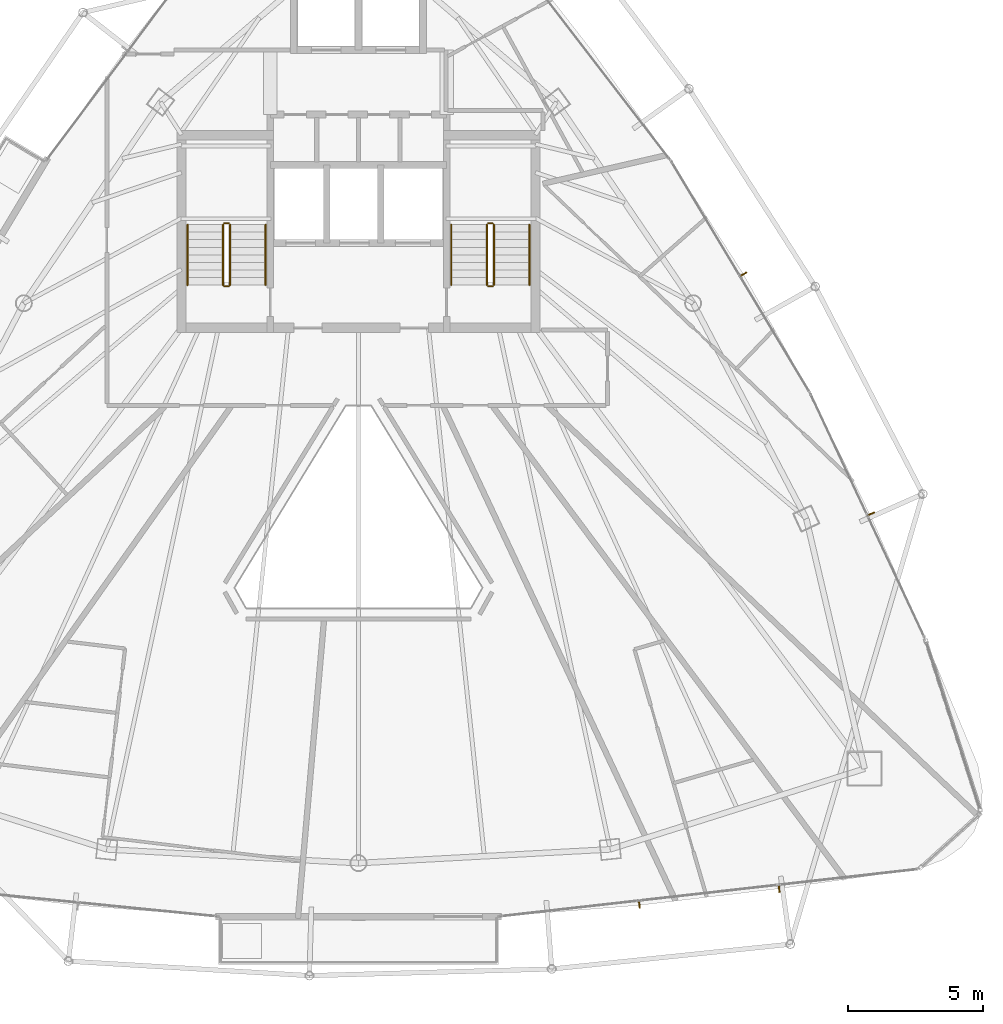
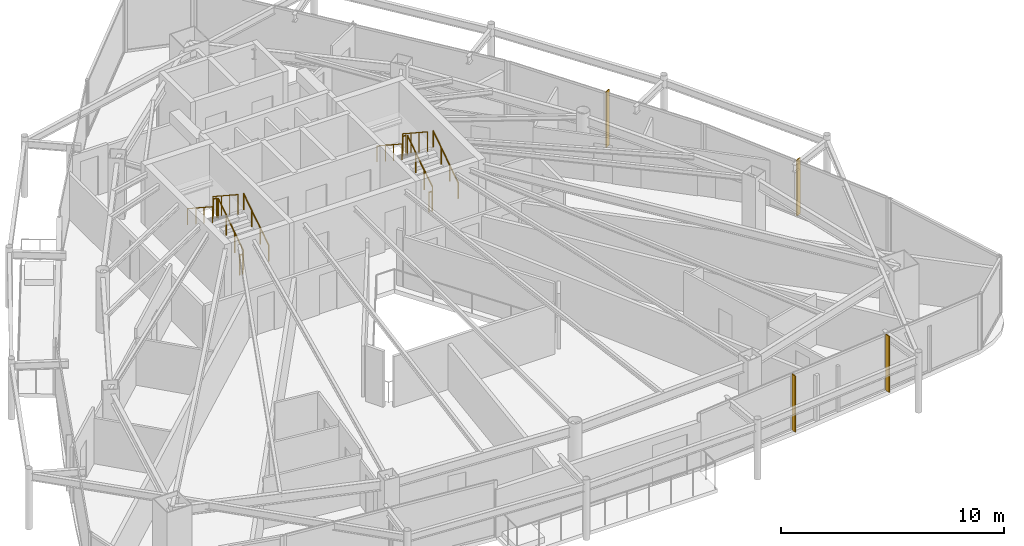
# One storey, part 31 of 32: 12 railings, 4 shading devices.
"""IFC4 building model written with IfcOpenShell, lengths in metres."""

import ifcopenshell
import ifcopenshell.guid

model = None  # the IFC model being written
_history = None  # IfcOwnerHistory: only IFC2X3 demands one
_inside = {}  # id of a spatial element -> (the spatial element, [elements in it])
_under = {}  # id of a project, library or spatial element -> (it, [spatial elements below it])
_declared = {}  # id of a project -> (the project, [libraries it declares])
_typed = {}  # id of a type object -> (the type object, [elements of that type])
_made_of = {}  # id of a material, layer set ... -> (it, [elements and type objects made of it])


def new_model(schema):
    """Start an empty IFC model of exactly this schema.

    Asked for "IFC4X3", IfcOpenShell would pick the latest addendum, in which some entities
    have other attributes; the version numbers below select the first issue.
    IFC2X3 requires an IfcOwnerHistory on every rooted entity: one is made here for all.
    """
    global model, _history
    if schema == "IFC4X3":
        model = ifcopenshell.file(schema_version=(4, 3, 0, 0))
    else:
        model = ifcopenshell.file(schema=schema)
    _inside.clear()
    _under.clear()
    _declared.clear()
    _typed.clear()
    _made_of.clear()
    _history = None
    if model.schema == "IFC2X3":
        org = make("IfcOrganization", Name="unknown")
        user = make(
            "IfcPersonAndOrganization",
            ThePerson=make("IfcPerson", FamilyName="unknown"),
            TheOrganization=org,
        )
        app = make(
            "IfcApplication",
            ApplicationDeveloper=org,
            Version="unknown",
            ApplicationFullName="unknown",
            ApplicationIdentifier="unknown",
        )
        _history = make(
            "IfcOwnerHistory",
            OwningUser=user,
            OwningApplication=app,
            ChangeAction="ADDED",
            CreationDate=0,
        )
    return model


def make(cls, **values):
    """One entity of the class cls with the attributes given. An attribute that is None is left unset."""
    return model.create_entity(
        cls, **{name: value for name, value in values.items() if value is not None}
    )


def rooted(cls, **values):
    """An entity with a GlobalId (a new one), such as an element, a storey or a relation."""
    return make(cls, GlobalId=ifcopenshell.guid.new(), OwnerHistory=_history, **values)


def si_unit(unit_type, name, prefix=None):
    """IfcSIUnit, for example si_unit("LENGTHUNIT", "METRE", prefix="MILLI")."""
    return make("IfcSIUnit", UnitType=unit_type, Prefix=prefix, Name=name)


def assignment(units):
    """IfcUnitAssignment: the units of a project."""
    return None if units is None else make("IfcUnitAssignment", Units=units)


def point(xyz):
    """IfcCartesianPoint."""
    return None if xyz is None else make("IfcCartesianPoint", Coordinates=xyz)


def direction(xyz):
    """IfcDirection."""
    return None if xyz is None else make("IfcDirection", DirectionRatios=xyz)


def frame(location, z_axis=None, x_axis=None):
    """IfcAxis2Placement3D, a coordinate frame: its origin and axes. An axis left out is left unset."""
    return make(
        "IfcAxis2Placement3D",
        Location=point(location),
        Axis=direction(z_axis),
        RefDirection=direction(x_axis),
    )


def frame_2d(location, x_axis=None):
    """IfcAxis2Placement2D, a coordinate frame in the plane: its origin and x axis."""
    return make(
        "IfcAxis2Placement2D", Location=point(location), RefDirection=direction(x_axis)
    )


def origin():
    """The frame at (0, 0, 0) with its axes left unset."""
    return frame((0.0, 0.0, 0.0))


def origin_2d():
    """The frame at (0, 0) in the plane with its x axis left unset."""
    return frame_2d((0.0, 0.0))


def place(relative_to, where):
    """IfcLocalPlacement: puts the frame where relative to a parent placement (None: the world)."""
    return make(
        "IfcLocalPlacement", PlacementRelTo=relative_to, RelativePlacement=where
    )


def context(
    kind, dimensions, precision=None, world=None, true_north=None, identifier=None
):
    """IfcGeometricRepresentationContext, for example the 3D "Model" context."""
    return make(
        "IfcGeometricRepresentationContext",
        ContextIdentifier=identifier,
        ContextType=kind,
        CoordinateSpaceDimension=dimensions,
        Precision=precision,
        WorldCoordinateSystem=world,
        TrueNorth=true_north,
    )


def subcontext(parent, identifier, kind, view, scale=None):
    """IfcGeometricRepresentationSubContext, for example "Body" below "Model"."""
    return make(
        "IfcGeometricRepresentationSubContext",
        ContextIdentifier=identifier,
        ContextType=kind,
        ParentContext=parent,
        TargetScale=scale,
        TargetView=view,
    )


def project(units=None, contexts=None):
    """IfcProject with its units and contexts."""
    return rooted(
        "IfcProject",
        Name="project",
        RepresentationContexts=contexts,
        UnitsInContext=assignment(units),
    )


def spatial(cls, under=None, at=None, **own):
    """A site, building, storey or space (cls), placed at a placement, below another one or the project."""
    s = rooted(cls, ObjectPlacement=at, **own)
    if under is not None:
        _under.setdefault(under.id(), (under, []))[1].append(s)
    return s


def profile(cls, at=None, kind="AREA", **sizes):
    """A parametric profile (cls). Its sizes go by their IFC names, for example OverallWidth=200.0."""
    return make(cls, ProfileType=kind, Position=at, **sizes)


def rectangle(**sizes):
    """IfcRectangleProfileDef."""
    return profile("IfcRectangleProfileDef", **sizes)


def circle(**sizes):
    """IfcCircleProfileDef."""
    return profile("IfcCircleProfileDef", **sizes)


def extrude(swept, where, along, depth):
    """IfcExtrudedAreaSolid: the profile swept, set in the frame where, extruded along a direction by depth."""
    return make(
        "IfcExtrudedAreaSolid",
        SweptArea=swept,
        Position=where,
        ExtrudedDirection=direction(along),
        Depth=depth,
    )


def shape(context_of_items, identifier, shape_type, items):
    """IfcShapeRepresentation: the items that make up one representation, for example the "Body"."""
    return make(
        "IfcShapeRepresentation",
        ContextOfItems=context_of_items,
        RepresentationIdentifier=identifier,
        RepresentationType=shape_type,
        Items=items,
    )


def material(Name=None, Category=None):
    """IfcMaterial."""
    return make("IfcMaterial", Name=Name, Category=Category)


def layer(
    of_material, thickness, ventilated=None, Name=None, Category=None, Priority=None
):
    """IfcMaterialLayer: one layer of a wall or slab, of a material (None: an air gap)."""
    return make(
        "IfcMaterialLayer",
        Material=of_material,
        LayerThickness=thickness,
        IsVentilated=ventilated,
        Name=Name,
        Category=Category,
        Priority=Priority,
    )


def layer_set(layers, Name=None):
    """IfcMaterialLayerSet."""
    return make("IfcMaterialLayerSet", MaterialLayers=layers, LayerSetName=Name)


def made_of(thing, what):
    """Note that an element or type object is made of a material, layer set ...; save() writes the relation."""
    if what is not None:
        _made_of.setdefault(what.id(), (what, []))[1].append(thing)
    return thing


def type_object(cls, material=None, **own):
    """A type object (cls), such as IfcWallType, which elements share."""
    return made_of(rooted(cls, **own), material)


def element(
    cls,
    number,
    at=None,
    inside=None,
    cuts=None,
    type_object=None,
    material=None,
    context=None,
    identifier="Body",
    shape_type=None,
    held_by="IfcProductDefinitionShape",
    body=None,
    shapes=None,
    **own,
):
    """One element of the class cls, such as IfcWall. Its Tag is "e" and its number.

    at: its placement. inside: the storey or other place that contains it. cuts: it is an
    opening in that element (IfcRelVoidsElement). A single representation is given by context,
    identifier, shape_type and body (its items); several are given by shapes. held_by: the class
    of the entity that holds the representations. save() writes the other relations.
    """
    e = rooted(cls, Tag="e%d" % number, ObjectPlacement=at, **own)
    if body is not None:
        shapes = [shape(context, identifier, shape_type, body)]
    if shapes is not None:
        e.Representation = make(held_by, Representations=shapes)
    if inside is not None:
        _inside.setdefault(inside.id(), (inside, []))[1].append(e)
    if cuts is not None:
        rooted(
            "IfcRelVoidsElement", RelatingBuildingElement=cuts, RelatedOpeningElement=e
        )
    if type_object is not None:
        _typed.setdefault(type_object.id(), (type_object, []))[1].append(e)
    return made_of(e, material)


def aggregate(whole, parts):
    """IfcRelAggregates: a whole, such as a stair, and the parts it consists of."""
    return rooted("IfcRelAggregates", RelatingObject=whole, RelatedObjects=parts)


def save(model, path):
    """Write the relations noted so far, then the file.

    IfcRelAggregates (storeys below a building ...), IfcRelContainedInSpatialStructure (elements
    in a storey), IfcRelDefinesByType, IfcRelAssociatesMaterial and IfcRelDeclares: one each for
    every whole, place, type object, material and project.
    """
    for whole, parts in _under.values():
        aggregate(whole, parts)
    for where, things in _inside.values():
        rooted(
            "IfcRelContainedInSpatialStructure",
            RelatedElements=things,
            RelatingStructure=where,
        )
    for kind, things in _typed.values():
        rooted("IfcRelDefinesByType", RelatedObjects=things, RelatingType=kind)
    for what, things in _made_of.values():
        rooted("IfcRelAssociatesMaterial", RelatedObjects=things, RelatingMaterial=what)
    for by, libraries in _declared.values():
        rooted("IfcRelDeclares", RelatingContext=by, RelatedDefinitions=libraries)
    model.write(path)


model = new_model("IFC4")

# Units and contexts
model_context = context("Model", 3, precision=1e-05, world=origin(), true_north=direction((0.0, 1.0)))
body_context = subcontext(model_context, "Body", "Model", "MODEL_VIEW")
ifc_project = project(units=[si_unit("LENGTHUNIT", "METRE"), si_unit("AREAUNIT", "SQUARE_METRE"), si_unit("VOLUMEUNIT", "CUBIC_METRE"), si_unit("PLANEANGLEUNIT", "RADIAN"), si_unit("MASSUNIT", "GRAM", prefix="KILO")], contexts=[model_context])

# Site, building, storey
site_placement = place(None, origin())
site = spatial("IfcSite", under=ifc_project, at=site_placement, CompositionType="ELEMENT")
building_placement = place(site_placement, origin())
building = spatial("IfcBuilding", under=site, at=building_placement, Name="Orvanel Arch Residences", CompositionType="ELEMENT")
storey_placement = place(building_placement, frame((0.0, 0.0, 216.199951171875)))
storey = spatial("IfcBuildingStorey", under=building, at=storey_placement, Name="L61", CompositionType="ELEMENT", Elevation=216.199951171875)

# Shading devices
ifc_material_1 = material(Name="Bronze-anodised aluminium AA6063-T6", Category="aluminium")
ifc_layer = layer(ifc_material_1, 0.050048828125)
ifc_layer_set = layer_set([ifc_layer], Name="Bronze-anodised aluminium AA6063-T6")
shading_device_type = type_object("IfcShadingDeviceType", Name="FIN-BRZ-260", PredefinedType="USERDEFINED", material=ifc_layer_set)
for number, where, z_axis, x_axis, name in (
    (1, (43.43505859375, 5.2939453125, 0.0), (0.0, 0.0, 1.0), (0.111468932206, -0.993767919161, 0.0), "L61 Anodised Bronze Mullion FIN 01"),
    (2, (48.626953125, 5.881103515625, 0.0), (0.0, 0.0, 1.0), (0.111468932206, -0.993767919161, 0.0), "L61 Anodised Bronze Mullion FIN 02"),
    (3, (52.048095703125, 19.822021484375, 0.0), (0.0, 0.0, 1.0), (0.905568799011, 0.424199422745, 0.0), "L61 Anodised Bronze Mullion FIN 01"),
    (4, (47.31103515625, 28.72509765625, 0.0), (0.0, 0.0, 1.0), (0.857167300702, 0.51503807491, 0.0), "L61 Anodised Bronze Mullion FIN 01"),
):
    element("IfcShadingDevice", number, at=place(storey_placement, frame(where, z_axis=z_axis, x_axis=x_axis)), inside=storey, type_object=shading_device_type, Name=name, ObjectType="FIN", PredefinedType="USERDEFINED", context=body_context, shape_type="SweptSolid", body=[
        extrude(rectangle(XDim=0.260009765625, YDim=0.050048828125, at=origin_2d()), origin(), (0.0, 0.0, 1.0), 3.06005859375),
    ])

# Railings
ifc_material_2 = material(Name="Structural steel AS/NZS 1163 C350L0 (Grade 350)", Category="steel")
railing_type_1 = type_object("IfcRailingType", Name="RL-STAIR-GUARD", PredefinedType="GUARDRAIL", material=ifc_material_2)
railing_1_placement = place(storey_placement, frame((28.22998046875, 28.320068359375, 0.183349609375)))
element("IfcRailing", 5, at=railing_1_placement, inside=storey, type_object=railing_type_1, Name="L61 ST-1 stair guard 1", PredefinedType="GUARDRAIL", context=body_context, shape_type="SweptSolid", body=[
    extrude(circle(Radius=0.02392578125, at=origin_2d()), frame((0.0, 0.001220703125, 1.076904296875), z_axis=(0.0, 0.836595146698, 0.547821650285), x_axis=(-1.0, 0.0, 0.0)), (0.0, 0.0, 1.0), 2.674560546875),
    extrude(circle(Radius=0.02099609375, at=origin_2d()), origin(), (0.0, 0.0, 1.0), 1.050048828125),
    extrude(circle(Radius=0.02099609375, at=origin_2d()), frame((0.0, 0.74658203125, 0.489013671875)), (0.0, 0.0, 1.0), 1.050048828125),
    extrude(circle(Radius=0.02099609375, at=origin_2d()), frame((0.0, 1.493408203125, 0.977783203125)), (0.0, 0.0, 1.0), 1.050048828125),
    extrude(circle(Radius=0.02099609375, at=origin_2d()), frame((0.0, 2.239990234375, 1.466796875)), (0.0, 0.0, 1.0), 1.050048828125),
])
railing_2_placement = place(storey_placement, frame((28.179931640625, 30.610107421875, 1.650146484375)))
element("IfcRailing", 6, at=railing_2_placement, inside=storey, type_object=railing_type_1, Name="L61 ST-1 stair guard 2", PredefinedType="GUARDRAIL", context=body_context, shape_type="SweptSolid", body=[
    extrude(circle(Radius=0.02392578125, at=origin_2d()), frame((-0.00146484375, 0.0, 1.076171875), z_axis=(-1.0, 0.0, 0.0), x_axis=(0.0, -1.0, 0.0)), (0.0, 0.0, 1.0), 0.156982421875),
    extrude(circle(Radius=0.02099609375, at=origin_2d()), origin(), (0.0, 0.0, 1.0), 1.050048828125),
    extrude(circle(Radius=0.02099609375, at=origin_2d()), frame((-0.159912109375, 0.0, 0.0)), (0.0, 0.0, 1.0), 1.050048828125),
])
railing_3_placement = place(storey_placement, frame((27.969970703125, 30.56005859375, 1.83349609375)))
element("IfcRailing", 7, at=railing_3_placement, inside=storey, type_object=railing_type_1, Name="L61 ST-1 stair guard 3", PredefinedType="GUARDRAIL", context=body_context, shape_type="SweptSolid", body=[
    extrude(circle(Radius=0.02392578125, at=origin_2d()), frame((0.0, -0.001220703125, 1.076904296875), z_axis=(0.0, -0.836636935527, 0.547757827979), x_axis=(1.0, 0.0, 0.0)), (0.0, 0.0, 1.0), 2.67431640625),
    extrude(circle(Radius=0.02099609375, at=origin_2d()), origin(), (0.0, 0.0, 1.0), 1.050048828125),
    extrude(circle(Radius=0.02099609375, at=origin_2d()), frame((0.0, -0.74658203125, 0.48876953125)), (0.0, 0.0, 1.0), 1.050048828125),
    extrude(circle(Radius=0.02099609375, at=origin_2d()), frame((0.0, -1.493408203125, 0.977783203125)), (0.0, 0.0, 1.0), 1.050048828125),
    extrude(circle(Radius=0.02099609375, at=origin_2d()), frame((0.0, -2.239990234375, 1.466552734375)), (0.0, 0.0, 1.0), 1.050048828125),
])
railing_4_placement = place(storey_placement, frame((28.179931640625, 28.27001953125, 0.0)))
element("IfcRailing", 8, at=railing_4_placement, inside=storey, type_object=railing_type_1, Name="L61 ST-1 stair guard 4", PredefinedType="GUARDRAIL", context=body_context, shape_type="SweptSolid", body=[
    extrude(circle(Radius=0.02392578125, at=origin_2d()), frame((-0.00146484375, 0.0, 1.076171875), z_axis=(-1.0, 0.0, 0.0), x_axis=(0.0, -1.0, 0.0)), (0.0, 0.0, 1.0), 0.156982421875),
    extrude(circle(Radius=0.02099609375, at=origin_2d()), origin(), (0.0, 0.0, 1.0), 1.050048828125),
    extrude(circle(Radius=0.02099609375, at=origin_2d()), frame((-0.159912109375, 0.0, 0.0)), (0.0, 0.0, 1.0), 1.050048828125),
])
railing_5_placement = place(storey_placement, frame((38.030029296875, 28.320068359375, 0.183349609375)))
element("IfcRailing", 9, at=railing_5_placement, inside=storey, type_object=railing_type_1, Name="L61 ST-2 stair guard 1", PredefinedType="GUARDRAIL", context=body_context, shape_type="SweptSolid", body=[
    extrude(circle(Radius=0.02392578125, at=origin_2d()), frame((0.0, 0.001220703125, 1.076904296875), z_axis=(0.0, 0.836595146698, 0.547821650285), x_axis=(-1.0, 0.0, 0.0)), (0.0, 0.0, 1.0), 2.674560546875),
    extrude(circle(Radius=0.02099609375, at=origin_2d()), origin(), (0.0, 0.0, 1.0), 1.050048828125),
    extrude(circle(Radius=0.02099609375, at=origin_2d()), frame((0.0, 0.74658203125, 0.489013671875)), (0.0, 0.0, 1.0), 1.050048828125),
    extrude(circle(Radius=0.02099609375, at=origin_2d()), frame((0.0, 1.493408203125, 0.977783203125)), (0.0, 0.0, 1.0), 1.050048828125),
    extrude(circle(Radius=0.02099609375, at=origin_2d()), frame((0.0, 2.239990234375, 1.466796875)), (0.0, 0.0, 1.0), 1.050048828125),
])
railing_6_placement = place(storey_placement, frame((37.97998046875, 30.610107421875, 1.650146484375)))
element("IfcRailing", 10, at=railing_6_placement, inside=storey, type_object=railing_type_1, Name="L61 ST-2 stair guard 2", PredefinedType="GUARDRAIL", context=body_context, shape_type="SweptSolid", body=[
    extrude(circle(Radius=0.02392578125, at=origin_2d()), frame((-0.00146484375, 0.0, 1.076171875), z_axis=(-1.0, 0.0, 0.0), x_axis=(0.0, -1.0, 0.0)), (0.0, 0.0, 1.0), 0.156982421875),
    extrude(circle(Radius=0.02099609375, at=origin_2d()), origin(), (0.0, 0.0, 1.0), 1.050048828125),
    extrude(circle(Radius=0.02099609375, at=origin_2d()), frame((-0.159912109375, 0.0, 0.0)), (0.0, 0.0, 1.0), 1.050048828125),
])
railing_7_placement = place(storey_placement, frame((37.77001953125, 30.56005859375, 1.83349609375)))
element("IfcRailing", 11, at=railing_7_placement, inside=storey, type_object=railing_type_1, Name="L61 ST-2 stair guard 3", PredefinedType="GUARDRAIL", context=body_context, shape_type="SweptSolid", body=[
    extrude(circle(Radius=0.02392578125, at=origin_2d()), frame((0.0, -0.001220703125, 1.076904296875), z_axis=(0.0, -0.836636935527, 0.547757827979), x_axis=(1.0, 0.0, 0.0)), (0.0, 0.0, 1.0), 2.67431640625),
    extrude(circle(Radius=0.02099609375, at=origin_2d()), origin(), (0.0, 0.0, 1.0), 1.050048828125),
    extrude(circle(Radius=0.02099609375, at=origin_2d()), frame((0.0, -0.74658203125, 0.48876953125)), (0.0, 0.0, 1.0), 1.050048828125),
    extrude(circle(Radius=0.02099609375, at=origin_2d()), frame((0.0, -1.493408203125, 0.977783203125)), (0.0, 0.0, 1.0), 1.050048828125),
    extrude(circle(Radius=0.02099609375, at=origin_2d()), frame((0.0, -2.239990234375, 1.466552734375)), (0.0, 0.0, 1.0), 1.050048828125),
])
railing_8_placement = place(storey_placement, frame((37.97998046875, 28.27001953125, 0.0)))
element("IfcRailing", 12, at=railing_8_placement, inside=storey, type_object=railing_type_1, Name="L61 ST-2 stair guard 4", PredefinedType="GUARDRAIL", context=body_context, shape_type="SweptSolid", body=[
    extrude(circle(Radius=0.02392578125, at=origin_2d()), frame((-0.00146484375, 0.0, 1.076171875), z_axis=(-1.0, 0.0, 0.0), x_axis=(0.0, -1.0, 0.0)), (0.0, 0.0, 1.0), 0.156982421875),
    extrude(circle(Radius=0.02099609375, at=origin_2d()), origin(), (0.0, 0.0, 1.0), 1.050048828125),
    extrude(circle(Radius=0.02099609375, at=origin_2d()), frame((-0.159912109375, 0.0, 0.0)), (0.0, 0.0, 1.0), 1.050048828125),
])
railing_type_2 = type_object("IfcRailingType", Name="RL-STAIR-HAND", PredefinedType="HANDRAIL", material=ifc_material_2)
railing_9_placement = place(storey_placement, frame((29.550048828125, 28.320068359375, 0.183349609375)))
element("IfcRailing", 13, at=railing_9_placement, inside=storey, type_object=railing_type_2, Name="L61 ST-1 stair handrail 1", PredefinedType="HANDRAIL", context=body_context, shape_type="SweptSolid", body=[
    extrude(circle(Radius=0.02392578125, at=origin_2d()), frame((0.0, 0.001220703125, 0.876708984375), z_axis=(0.0, 0.836595146698, 0.547821650285), x_axis=(-1.0, 0.0, 0.0)), (0.0, 0.0, 1.0), 2.674560546875),
    extrude(circle(Radius=0.02099609375, at=origin_2d()), origin(), (0.0, 0.0, 1.0), 0.849853515625),
    extrude(circle(Radius=0.02099609375, at=origin_2d()), frame((0.0, 0.74658203125, 0.489013671875)), (0.0, 0.0, 1.0), 0.849853515625),
    extrude(circle(Radius=0.02099609375, at=origin_2d()), frame((0.0, 1.493408203125, 0.977783203125)), (0.0, 0.0, 1.0), 0.849853515625),
    extrude(circle(Radius=0.02099609375, at=origin_2d()), frame((0.0, 2.239990234375, 1.466796875)), (0.0, 0.0, 1.0), 0.849853515625),
])
railing_10_placement = place(storey_placement, frame((26.64990234375, 30.56005859375, 1.83349609375)))
element("IfcRailing", 14, at=railing_10_placement, inside=storey, type_object=railing_type_2, Name="L61 ST-1 stair handrail 2", PredefinedType="HANDRAIL", context=body_context, shape_type="SweptSolid", body=[
    extrude(circle(Radius=0.02392578125, at=origin_2d()), frame((0.0, -0.001220703125, 0.876708984375), z_axis=(0.0, -0.836636935527, 0.547757827979), x_axis=(1.0, 0.0, 0.0)), (0.0, 0.0, 1.0), 2.67431640625),
    extrude(circle(Radius=0.02099609375, at=origin_2d()), origin(), (0.0, 0.0, 1.0), 0.849853515625),
    extrude(circle(Radius=0.02099609375, at=origin_2d()), frame((0.0, -0.74658203125, 0.48876953125)), (0.0, 0.0, 1.0), 0.849853515625),
    extrude(circle(Radius=0.02099609375, at=origin_2d()), frame((0.0, -1.493408203125, 0.977783203125)), (0.0, 0.0, 1.0), 0.849853515625),
    extrude(circle(Radius=0.02099609375, at=origin_2d()), frame((0.0, -2.239990234375, 1.466552734375)), (0.0, 0.0, 1.0), 0.849853515625),
])
railing_11_placement = place(storey_placement, frame((39.35009765625, 28.320068359375, 0.183349609375)))
element("IfcRailing", 15, at=railing_11_placement, inside=storey, type_object=railing_type_2, Name="L61 ST-2 stair handrail 1", PredefinedType="HANDRAIL", context=body_context, shape_type="SweptSolid", body=[
    extrude(circle(Radius=0.02392578125, at=origin_2d()), frame((0.0, 0.001220703125, 0.876708984375), z_axis=(0.0, 0.836595146698, 0.547821650285), x_axis=(-1.0, 0.0, 0.0)), (0.0, 0.0, 1.0), 2.674560546875),
    extrude(circle(Radius=0.02099609375, at=origin_2d()), origin(), (0.0, 0.0, 1.0), 0.849853515625),
    extrude(circle(Radius=0.02099609375, at=origin_2d()), frame((0.0, 0.74658203125, 0.489013671875)), (0.0, 0.0, 1.0), 0.849853515625),
    extrude(circle(Radius=0.02099609375, at=origin_2d()), frame((0.0, 1.493408203125, 0.977783203125)), (0.0, 0.0, 1.0), 0.849853515625),
    extrude(circle(Radius=0.02099609375, at=origin_2d()), frame((0.0, 2.239990234375, 1.466796875)), (0.0, 0.0, 1.0), 0.849853515625),
])
railing_12_placement = place(storey_placement, frame((36.449951171875, 30.56005859375, 1.83349609375)))
element("IfcRailing", 16, at=railing_12_placement, inside=storey, type_object=railing_type_2, Name="L61 ST-2 stair handrail 2", PredefinedType="HANDRAIL", context=body_context, shape_type="SweptSolid", body=[
    extrude(circle(Radius=0.02392578125, at=origin_2d()), frame((0.0, -0.001220703125, 0.876708984375), z_axis=(0.0, -0.836636935527, 0.547757827979), x_axis=(1.0, 0.0, 0.0)), (0.0, 0.0, 1.0), 2.67431640625),
    extrude(circle(Radius=0.02099609375, at=origin_2d()), origin(), (0.0, 0.0, 1.0), 0.849853515625),
    extrude(circle(Radius=0.02099609375, at=origin_2d()), frame((0.0, -0.74658203125, 0.48876953125)), (0.0, 0.0, 1.0), 0.849853515625),
    extrude(circle(Radius=0.02099609375, at=origin_2d()), frame((0.0, -1.493408203125, 0.977783203125)), (0.0, 0.0, 1.0), 0.849853515625),
    extrude(circle(Radius=0.02099609375, at=origin_2d()), frame((0.0, -2.239990234375, 1.466552734375)), (0.0, 0.0, 1.0), 0.849853515625),
])

save(model, "model.ifc")
